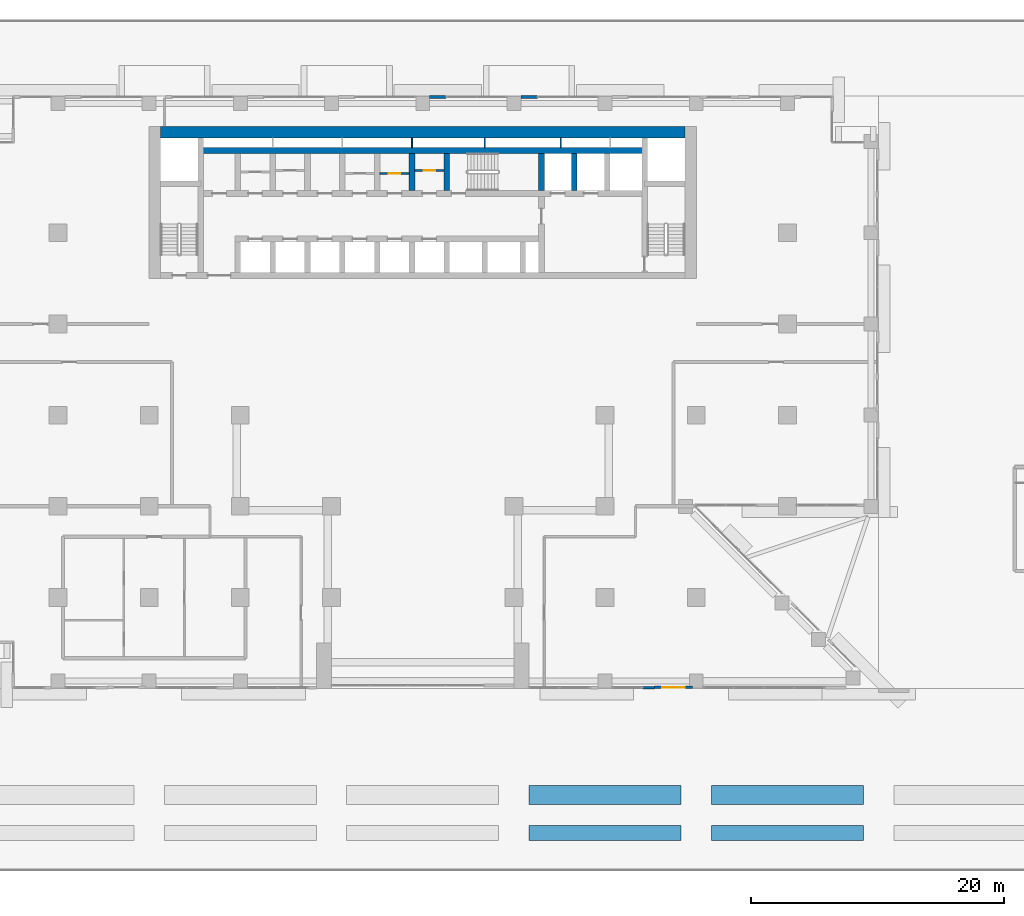
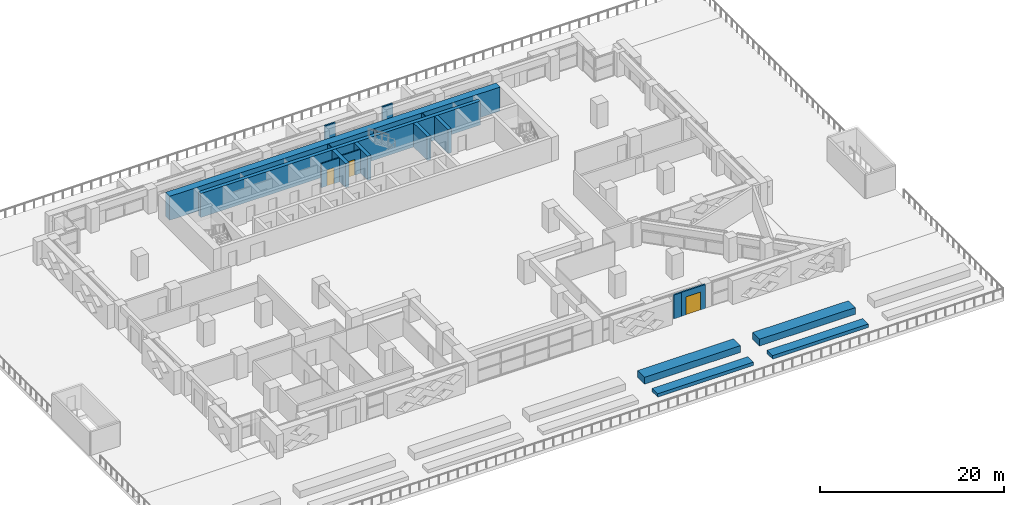
# One storey, part 15 of 24: 19 walls, 3 doors, 3 openings.
"""IFC4 building model written with IfcOpenShell, lengths in metres."""

from ifc_helpers import new_model, si_unit, direction, frame, frame_2d, origin, place, context, subcontext, project, spatial, rectangle, extrude, material, layer, layer_set, type_object, element, fill, save


model = new_model("IFC4")

# Units and contexts
model_context = context("Model", 3, precision=1e-05, world=origin(), true_north=direction((0.0, 1.0)))
body_context = subcontext(model_context, "Body", "Model", "MODEL_VIEW")
ifc_project = project(units=[si_unit("LENGTHUNIT", "METRE"), si_unit("AREAUNIT", "SQUARE_METRE"), si_unit("VOLUMEUNIT", "CUBIC_METRE"), si_unit("PLANEANGLEUNIT", "RADIAN"), si_unit("MASSUNIT", "GRAM", prefix="KILO")], contexts=[model_context])

# Site, building, storey
site_placement = place(None, origin())
site = spatial("IfcSite", under=ifc_project, at=site_placement, CompositionType="ELEMENT")
building_placement = place(site_placement, origin())
building = spatial("IfcBuilding", under=site, at=building_placement, Name="Saffron Iwan Residences", CompositionType="ELEMENT")
storey_placement = place(building_placement, frame((0.0, 0.0, 27.0)))
storey = spatial("IfcBuildingStorey", under=building, at=storey_placement, Name="L05", CompositionType="ELEMENT", Elevation=27.0)

# Wall, opening, door
ifc_material_1 = material(Name="Fire-rated plasterboard partition")
ifc_layer_1 = layer(ifc_material_1, 0.14990234375)
ifc_layer_set_1 = layer_set([ifc_layer_1], Name="Fire-rated plasterboard partition")
wall_type_1 = type_object("IfcWallType", Name="Core partition 150", PredefinedType="PARTITIONING", material=ifc_layer_set_1)
wall_1_placement = place(storey_placement, frame((47.02490234375, 74.281982421875, 0.0), z_axis=(0.0, 0.0, 1.0), x_axis=(1.0, 0.0, 0.0)))
wall_1 = element("IfcWall", 1, at=wall_1_placement, inside=storey, type_object=wall_type_1, Name="Core partition P04", PredefinedType="PARTITIONING", context=body_context, shape_type="SweptSolid", body=[
    extrude(rectangle(XDim=2.300048828125, YDim=0.14990234375, at=frame_2d((1.14990234375, 0.0))), origin(), (0.0, 0.0, 1.0), 3.179931640625),
])
opening_1_placement = place(wall_1_placement, frame((0.699951171875, 0.0, 0.0)))
opening_1 = element("IfcOpeningElement", 2, at=opening_1_placement, cuts=wall_1, Name="Opening SB", PredefinedType="OPENING", context=body_context, shape_type="SweptSolid", body=[
    extrude(rectangle(XDim=0.89990234375, YDim=2.10009765625, at=frame_2d((0.449951171875, 1.050048828125))), frame((0.0, 0.0849609375, 0.0), z_axis=(0.0, -1.0, 0.0), x_axis=(1.0, 0.0, 0.0)), (0.0, 0.0, 1.0), 0.169921875),
])
ifc_material_2 = material(Name="Steel fire door", Category="steel")
door_type_1 = type_object("IfcDoorType", Name="Store door 900", OperationType="NOTDEFINED", PredefinedType="DOOR", material=ifc_material_2)
door_1_placement = place(opening_1_placement, origin())
door_1 = element("IfcDoor", 3, at=door_1_placement, inside=storey, type_object=door_type_1, Name="Door Stationery store", OperationType="SINGLE_SWING_LEFT", OverallHeight=2.10009765625, OverallWidth=0.89990234375, PredefinedType="DOOR", context=body_context, shape_type="SweptSolid", body=[
    extrude(rectangle(XDim=0.89990234375, YDim=2.10009765625, at=frame_2d((0.449951171875, 1.050048828125))), frame((0.0, 0.02490234375, 0.0), z_axis=(0.0, -1.0, 0.0), x_axis=(1.0, 0.0, 0.0)), (0.0, 0.0, 1.0), 0.050048828125),
])
fill(opening_1, door_1)

wall_2_placement = place(storey_placement, frame((49.77490234375, 74.51806640625, 0.0), z_axis=(0.0, 0.0, 1.0), x_axis=(1.0, 0.0, 0.0)))
wall_2 = element("IfcWall", 4, at=wall_2_placement, inside=storey, type_object=wall_type_1, Name="Core partition P05", PredefinedType="PARTITIONING", context=body_context, shape_type="SweptSolid", body=[
    extrude(rectangle(XDim=2.300048828125, YDim=0.14990234375, at=frame_2d((1.14990234375, 0.0))), origin(), (0.0, 0.0, 1.0), 3.179931640625),
])
opening_2_placement = place(wall_2_placement, frame((0.699951171875, 0.0, 0.0)))
opening_2 = element("IfcOpeningElement", 5, at=opening_2_placement, cuts=wall_2, Name="Opening SB", PredefinedType="OPENING", context=body_context, shape_type="SweptSolid", body=[
    extrude(rectangle(XDim=0.89990234375, YDim=2.10009765625, at=frame_2d((0.449951171875, 1.050048828125))), frame((0.0, 0.0849609375, 0.0), z_axis=(0.0, -1.0, 0.0), x_axis=(1.0, 0.0, 0.0)), (0.0, 0.0, 1.0), 0.169921875),
])
door_2_placement = place(opening_2_placement, origin())
door_2 = element("IfcDoor", 6, at=door_2_placement, inside=storey, type_object=door_type_1, Name="Door Tool store", OperationType="SINGLE_SWING_LEFT", OverallHeight=2.10009765625, OverallWidth=0.89990234375, PredefinedType="DOOR", context=body_context, shape_type="SweptSolid", body=[
    extrude(rectangle(XDim=0.89990234375, YDim=2.10009765625, at=frame_2d((0.449951171875, 1.050048828125))), frame((0.0, 0.02490234375, 0.0), z_axis=(0.0, -1.0, 0.0), x_axis=(1.0, 0.0, 0.0)), (0.0, 0.0, 1.0), 0.050048828125),
])
fill(opening_2, door_2)

# Walls
ifc_material_3 = material(Name="Concrete C40/50", Category="concrete")
ifc_layer_2 = layer(ifc_material_3, 0.199951171875)
ifc_layer_set_2 = layer_set([ifc_layer_2], Name="Concrete C40/50")
wall_type_2 = type_object("IfcWallType", Name="EXTERNAL WALL 200", PredefinedType="SOLIDWALL", material=ifc_layer_set_2)
for number, where, z_axis, x_axis, name in (
    (7, (59.449951171875, 80.320068359375, 0.0), (0.0, 0.0, 1.0), (-1.0, 0.0, 0.0), "External wall infill CWD-L05-F5-3"),
    (8, (52.25, 80.320068359375, 0.0), (0.0, 0.0, 1.0), (-1.0, 0.0, 0.0), "External wall infill CWD-L05-F5-4"),
):
    element("IfcWall", number, at=place(storey_placement, frame(where, z_axis=z_axis, x_axis=x_axis)), inside=storey, type_object=wall_type_2, Name=name, PredefinedType="SOLIDWALL", context=body_context, shape_type="SweptSolid", body=[
        extrude(rectangle(XDim=1.300048828125, YDim=0.199951171875, at=frame_2d((0.64990234375, 0.0))), origin(), (0.0, 0.0, 1.0), 3.179931640625),
    ])

# Wall, opening, door
wall_3_placement = place(storey_placement, frame((68.699951171875, 33.699951171875, 0.0), z_axis=(0.0, 0.0, 1.0), x_axis=(1.0, 0.0, 0.0)))
wall_3 = element("IfcWall", 9, at=wall_3_placement, inside=storey, type_object=wall_type_2, Name="External wall L05 F11.D1", PredefinedType="SOLIDWALL", context=body_context, shape_type="SweptSolid", body=[
    extrude(rectangle(XDim=3.0, YDim=0.199951171875, at=frame_2d((1.5, 0.0))), origin(), (0.0, 0.0, 1.0), 3.179931640625),
])
opening_3_placement = place(wall_3_placement, frame((0.60009765625, 0.0, 0.0)))
opening_3 = element("IfcOpeningElement", 10, at=opening_3_placement, cuts=wall_3, Name="Opening BD1", PredefinedType="OPENING", context=body_context, shape_type="SweptSolid", body=[
    extrude(rectangle(XDim=1.800048828125, YDim=2.39990234375, at=frame_2d((0.89990234375, 1.199951171875))), frame((0.0, 0.10986328125, 0.0), z_axis=(0.0, -1.0, 0.0), x_axis=(1.0, 0.0, 0.0)), (0.0, 0.0, 1.0), 0.219970703125),
])
ifc_material_4 = material(Name="Clear glass, laminated double glazed", Category="glass")
door_type_2 = type_object("IfcDoorType", Name="BALCONY DOOR 1800 x 2400", OperationType="DOUBLE_DOOR_SLIDING", PredefinedType="DOOR", material=ifc_material_4)
door_3_placement = place(opening_3_placement, origin())
door_3 = element("IfcDoor", 11, at=door_3_placement, inside=storey, type_object=door_type_2, Name="Terrace door L05 F11.1", OperationType="DOUBLE_DOOR_SLIDING", OverallHeight=2.39990234375, OverallWidth=1.800048828125, PredefinedType="DOOR", context=body_context, shape_type="SweptSolid", body=[
    extrude(rectangle(XDim=1.800048828125, YDim=2.39990234375, at=frame_2d((0.89990234375, 1.199951171875))), frame((0.0, 0.02490234375, 0.0), z_axis=(0.0, -1.0, 0.0), x_axis=(1.0, 0.0, 0.0)), (0.0, 0.0, 1.0), 0.050048828125),
])
fill(opening_3, door_3)

# Walls
wall_4_placement = place(storey_placement, frame((67.75, 33.679931640625, 0.0), z_axis=(0.0, 0.0, 1.0), x_axis=(1.0, 0.0, 0.0)))
element("IfcWall", 12, at=wall_4_placement, inside=storey, type_object=wall_type_2, Name="External wall infill CWD-L05-F11-5", PredefinedType="SOLIDWALL", context=body_context, shape_type="SweptSolid", body=[
    extrude(rectangle(XDim=0.949951171875, YDim=0.199951171875, at=frame_2d((0.47509765625, 0.0))), origin(), (0.0, 0.0, 1.0), 3.179931640625),
])
ifc_layer_3 = layer(ifc_material_1, 0.10009765625)
ifc_layer_set_3 = layer_set([ifc_layer_3], Name="Fire-rated plasterboard partition")
wall_type_3 = type_object("IfcWallType", Name="Riser partition 100", PredefinedType="PARTITIONING", material=ifc_layer_set_3)
for number, where, z_axis, x_axis, name in (
    (13, (49.550048828125, 76.324951171875, 0.0), (0.0, 0.0, 1.0), (0.0, 1.0, 0.0), "Core partition P08"),
    (14, (55.300048828125, 76.324951171875, 0.0), (0.0, 0.0, 1.0), (0.0, 1.0, 0.0), "Core partition P09"),
    (15, (61.300048828125, 76.324951171875, 0.0), (0.0, 0.0, 1.0), (0.0, 1.0, 0.0), "Core partition P10"),
):
    element("IfcWall", number, at=place(storey_placement, frame(where, z_axis=z_axis, x_axis=x_axis)), inside=storey, type_object=wall_type_3, Name=name, PredefinedType="PARTITIONING", context=body_context, shape_type="SweptSolid", body=[
        extrude(rectangle(XDim=0.775146484375, YDim=0.10009765625, at=frame_2d((0.3876953125, 0.0))), origin(), (0.0, 0.0, 1.0), 3.179931640625),
    ])
ifc_layer_4 = layer(ifc_material_3, 1.199951171875)
ifc_layer_set_4 = layer_set([ifc_layer_4], Name="Concrete C40/50")
wall_type_4 = type_object("IfcWallType", Name="Terrace planter wall 1200", PredefinedType="SOLIDWALL", material=ifc_layer_set_4)
for number, where, z_axis, x_axis, name in (
    (16, (58.800048828125, 22.199951171875, 0.050048828125), (0.0, 0.0, 1.0), (1.0, 0.0, 0.0), "PLANTER terrace L05 9"),
    (17, (73.199951171875, 22.199951171875, 0.050048828125), (0.0, 0.0, 1.0), (1.0, 0.0, 0.0), "PLANTER terrace L05 11"),
):
    element("IfcWall", number, at=place(storey_placement, frame(where, z_axis=z_axis, x_axis=x_axis)), inside=storey, type_object=wall_type_4, Name=name, PredefinedType="SOLIDWALL", context=body_context, shape_type="SweptSolid", body=[
        extrude(rectangle(XDim=12.0, YDim=1.199951171875, at=frame_2d((6.0, 0.0))), origin(), (0.0, 0.0, 1.0), 0.449951171875),
    ])
ifc_layer_5 = layer(ifc_material_3, 1.5)
ifc_layer_set_5 = layer_set([ifc_layer_5], Name="Concrete C40/50")
wall_type_5 = type_object("IfcWallType", Name="Terrace planter wall 1500", PredefinedType="SOLIDWALL", material=ifc_layer_set_5)
for number, where, z_axis, x_axis, name in (
    (18, (58.800048828125, 25.199951171875, 0.050048828125), (0.0, 0.0, 1.0), (1.0, 0.0, 0.0), "PLANTER terrace L05 10"),
    (19, (73.199951171875, 25.199951171875, 0.050048828125), (0.0, 0.0, 1.0), (1.0, 0.0, 0.0), "PLANTER terrace L05 12"),
):
    element("IfcWall", number, at=place(storey_placement, frame(where, z_axis=z_axis, x_axis=x_axis)), inside=storey, type_object=wall_type_5, Name=name, PredefinedType="SOLIDWALL", context=body_context, shape_type="SweptSolid", body=[
        extrude(rectangle(XDim=12.0, YDim=1.5, at=frame_2d((6.0, 0.0))), origin(), (0.0, 0.0, 1.0), 0.89990234375),
    ])
ifc_material_5 = material(Name="Concrete C60/75", Category="concrete")
ifc_layer_6 = layer(ifc_material_5, 0.449951171875)
ifc_layer_set_6 = layer_set([ifc_layer_6], Name="Concrete C60/75")
wall_type_6 = type_object("IfcWallType", Name="WALL CORE 450 C60/75 3180 HIGH", PredefinedType="SHEAR", material=ifc_layer_set_6)
wall_5_placement = place(storey_placement, frame((32.875, 76.10009765625, 0.0), z_axis=(0.0, 0.0, 1.0), x_axis=(1.0, 0.0, 0.0)))
element("IfcWall", 20, at=wall_5_placement, inside=storey, type_object=wall_type_6, Name="Core wall", PredefinedType="SHEAR", context=body_context, shape_type="SweptSolid", body=[
    extrude(rectangle(XDim=35.050048828125, YDim=0.449951171875, at=frame_2d((17.52490234375, 0.0))), origin(), (0.0, 0.0, 1.0), 3.179931640625),
])
for number, where, z_axis, x_axis, name in (
    (21, (59.77490234375, 72.925048828125, 0.0), (0.0, 0.0, 1.0), (0.0, 1.0, 0.0), "Core wall"),
    (22, (49.550048828125, 72.925048828125, 0.0), (0.0, 0.0, 1.0), (0.0, 1.0, 0.0), "Core wall"),
    (23, (52.300048828125, 72.925048828125, 0.0), (0.0, 0.0, 1.0), (0.0, 1.0, 0.0), "Core wall"),
    (24, (62.375, 72.925048828125, 0.0), (0.0, 0.0, 1.0), (0.0, 1.0, 0.0), "Core wall"),
):
    element("IfcWall", number, at=place(storey_placement, frame(where, z_axis=z_axis, x_axis=x_axis)), inside=storey, type_object=wall_type_6, Name=name, PredefinedType="SHEAR", context=body_context, shape_type="SweptSolid", body=[
        extrude(rectangle(XDim=2.949951171875, YDim=0.449951171875, at=frame_2d((1.47509765625, 0.0))), origin(), (0.0, 0.0, 1.0), 3.179931640625),
    ])
ifc_layer_7 = layer(ifc_material_5, 0.89990234375)
ifc_layer_set_7 = layer_set([ifc_layer_7], Name="Concrete C60/75")
wall_type_7 = type_object("IfcWallType", Name="WALL CORE 900 C60/75 3180 HIGH", PredefinedType="SHEAR", material=ifc_layer_set_7)
wall_6_placement = place(storey_placement, frame((29.699951171875, 77.550048828125, 0.0), z_axis=(0.0, 0.0, 1.0), x_axis=(1.0, 0.0, 0.0)))
element("IfcWall", 25, at=wall_6_placement, inside=storey, type_object=wall_type_7, Name="Core wall", PredefinedType="SHEAR", context=body_context, shape_type="SweptSolid", body=[
    extrude(rectangle(XDim=41.400146484375, YDim=0.89990234375, at=frame_2d((20.7001953125, 0.0))), origin(), (0.0, 0.0, 1.0), 3.179931640625),
])

save(model, "model.ifc")
